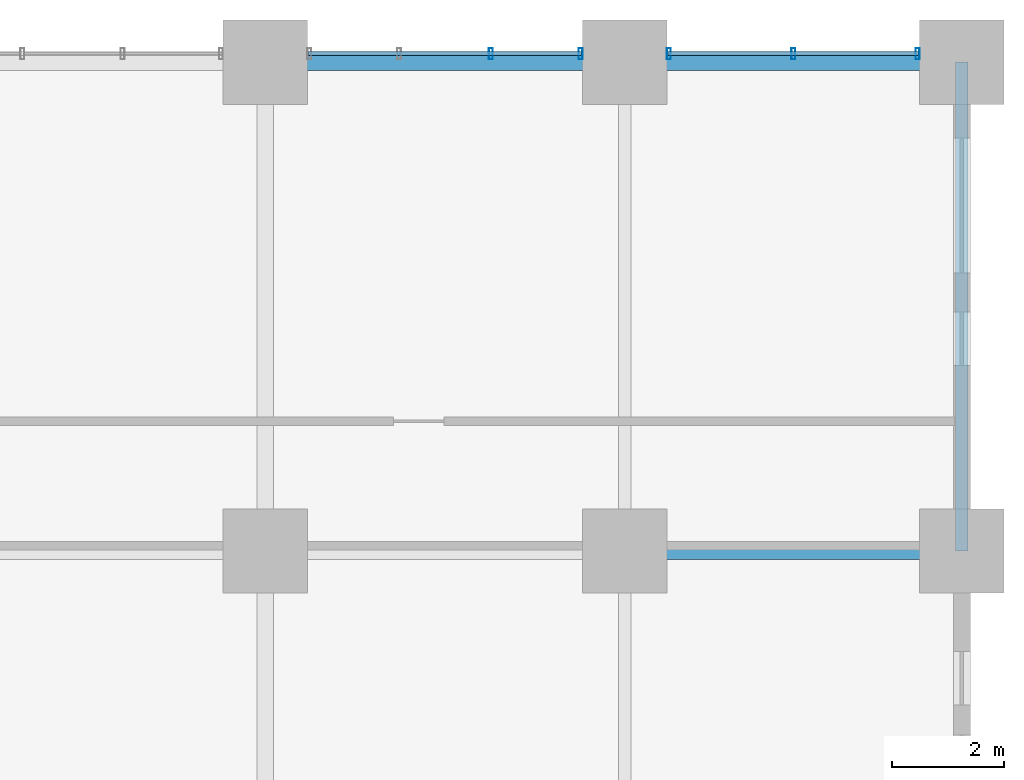
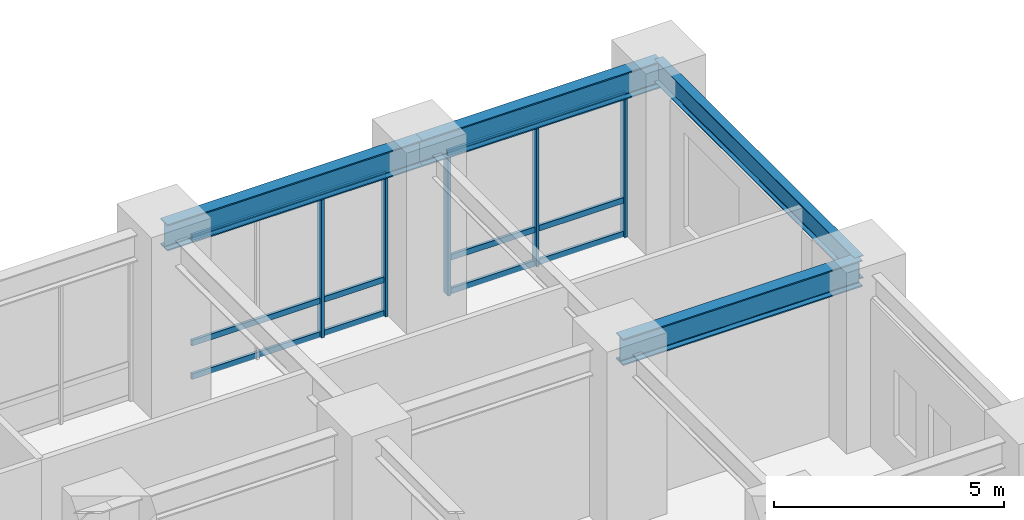
# One storey, part 12 of 22: 11 members, 4 beams, 2 elements without a shape of their own.
"""IFC4 building model written with IfcOpenShell, lengths in metres."""

from ifc_helpers import new_model, si_unit, direction, frame, origin, origin_2d, place, context, subcontext, project, spatial, hollow_rectangle, i_section, extrude, source, transform, mapped, material, layer, layer_set, material_profile, profile_set, type_object, element, aggregate, save


model = new_model("IFC4")

# Units and contexts
model_context = context("Model", 3, precision=1e-05, world=origin(), true_north=direction((0.0, 1.0)))
body_context = subcontext(model_context, "Body", "Model", "MODEL_VIEW")
ifc_project = project(units=[si_unit("LENGTHUNIT", "METRE"), si_unit("AREAUNIT", "SQUARE_METRE"), si_unit("VOLUMEUNIT", "CUBIC_METRE"), si_unit("PLANEANGLEUNIT", "RADIAN"), si_unit("MASSUNIT", "GRAM", prefix="KILO")], contexts=[model_context])

# Site, building, storey
site_placement = place(None, origin())
site = spatial("IfcSite", under=ifc_project, at=site_placement, CompositionType="ELEMENT")
building_placement = place(site_placement, origin())
building = spatial("IfcBuilding", under=site, at=building_placement, Name="Kaliganga Portal Commons", CompositionType="ELEMENT")
storey_placement = place(building_placement, frame((0.0, 0.0, 5.39990234375)))
storey = spatial("IfcBuildingStorey", under=building, at=storey_placement, Name="L01", CompositionType="ELEMENT", Elevation=5.39990234375)

# Beams
ifc_material_1 = material(Name="Structural steel S355J2", Category="steel")
ifc_material_profile_1 = material_profile(ifc_material_1, i_section(OverallWidth=0.300048828125, OverallDepth=0.699951171875, WebThickness=0.01708984375, FlangeThickness=0.031982421875, FilletRadius=0.027099609375, at=origin_2d()), Name="HE 700 B")
ifc_profile_set_1 = profile_set([ifc_material_profile_1], Name="Structural steel S355J2 wide-flange")
beam_type_1 = type_object("IfcBeamType", Name="BM-GIRD-700", PredefinedType="USERDEFINED", material=ifc_profile_set_1)
shared_shape_1 = source(origin(), body_context, "Body", "SweptSolid", [
    extrude(i_section(OverallWidth=0.300048828125, OverallDepth=0.699951171875, WebThickness=0.01708984375, FlangeThickness=0.031982421875, FilletRadius=0.027099609375, at=origin_2d()), origin(), (0.0, 0.0, 1.0), 6.0),
])
for number, where, z_axis, x_axis, name in (
    (1, (67.199951171875, 36.14990234375, 4.170166015625), (1.0, 0.0, 0.0), (0.0, 1.0, 0.0), "BM PODE L01 Y36 2"),
    (2, (67.199951171875, 44.85009765625, 4.170166015625), (1.0, 0.0, 0.0), (0.0, 1.0, 0.0), "BM PODE L01 Y44 2"),
):
    element("IfcBeam", number, at=place(storey_placement, frame(where, z_axis=z_axis, x_axis=x_axis)), inside=storey, type_object=beam_type_1, Name=name, ObjectType="GIRDER", PredefinedType="USERDEFINED", context=body_context, shape_type="MappedRepresentation", body=[
        mapped(shared_shape_1, transform((0.0, 0.0, 0.0), x_axis=(1.0, 0.0, 0.0), y_axis=(0.0, 1.0, 0.0), z_axis=(0.0, 0.0, 1.0), scale=1.0)),
    ])
shared_shape_2 = source(origin(), body_context, "Body", "SweptSolid", [
    extrude(i_section(OverallWidth=0.300048828125, OverallDepth=0.699951171875, WebThickness=0.01708984375, FlangeThickness=0.031982421875, FilletRadius=0.027099609375, at=origin_2d()), origin(), (0.0, 0.0, 1.0), 6.39990234375),
])
beam_1_placement = place(storey_placement, frame((60.800048828125, 44.85009765625, 4.170166015625), z_axis=(1.0, 0.0, 0.0), x_axis=(0.0, 1.0, 0.0)))
element("IfcBeam", 3, at=beam_1_placement, inside=storey, type_object=beam_type_1, Name="BM PODE L01 Y44 1", ObjectType="GIRDER", PredefinedType="USERDEFINED", context=body_context, shape_type="MappedRepresentation", body=[
    mapped(shared_shape_2, transform((0.0, 0.0, 0.0), x_axis=(1.0, 0.0, 0.0), y_axis=(0.0, 1.0, 0.0), z_axis=(0.0, 0.0, 1.0), scale=1.0)),
])
ifc_material_profile_2 = material_profile(ifc_material_1, i_section(OverallWidth=0.219970703125, OverallDepth=0.60009765625, WebThickness=0.011962890625, FlangeThickness=0.01904296875, FilletRadius=0.02392578125, at=origin_2d()), Name="IPE 600")
ifc_profile_set_2 = profile_set([ifc_material_profile_2], Name="Structural steel S355J2 wide-flange")
beam_type_2 = type_object("IfcBeamType", Name="BM-FLR-600", PredefinedType="BEAM", material=ifc_profile_set_2)
shared_shape_3 = source(origin(), body_context, "Body", "SweptSolid", [
    extrude(i_section(OverallWidth=0.219970703125, OverallDepth=0.60009765625, WebThickness=0.011962890625, FlangeThickness=0.01904296875, FilletRadius=0.02392578125, at=origin_2d()), origin(), (0.0, 0.0, 1.0), 8.7001953125),
])
beam_2_placement = place(storey_placement, frame((73.199951171875, 36.14990234375, 4.22021484375), z_axis=(0.0, 1.0, 0.0), x_axis=(-1.0, 0.0, 0.0)))
element("IfcBeam", 4, at=beam_2_placement, inside=storey, type_object=beam_type_2, Name="BM PODE L01 X73 6", PredefinedType="BEAM", context=body_context, shape_type="MappedRepresentation", body=[
    mapped(shared_shape_3, transform((0.0, 0.0, 0.0), x_axis=(1.0, 0.0, 0.0), y_axis=(0.0, 1.0, 0.0), z_axis=(0.0, 0.0, 1.0), scale=1.0)),
])

# Curtain wall, members
ifc_material_2 = material(Name="Anodized Aluminium and Laminated Low-E Glass", Category="aluminium")
ifc_layer = layer(ifc_material_2, 0.219970703125)
ifc_layer_set = layer_set([ifc_layer], Name="Anodized Aluminium and Laminated Low-E Glass")
curtain_wall_type = type_object("IfcCurtainWallType", Name="CW-SYS-01", PredefinedType="NOTDEFINED", material=ifc_layer_set)
curtain_wall_1_placement = place(storey_placement, origin())
curtain_wall_1 = element("IfcCurtainWall", 5, at=curtain_wall_1_placement, inside=storey, type_object=curtain_wall_type, Name="CW 01 L01 P1E02S1", PredefinedType="NOTDEFINED")
ifc_material_3 = material(Name="Dark Bronze Anodized Aluminium", Category="aluminium")
ifc_material_profile_3 = material_profile(ifc_material_3, hollow_rectangle(XDim=0.070068359375, YDim=0.14990234375, WallThickness=0.00341796875, at=origin_2d()), Name="ALU TRAN 70x150x3.5")
ifc_profile_set_3 = profile_set([ifc_material_profile_3], Name="Dark Bronze Anodized Aluminium")
member_type_1 = type_object("IfcMemberType", Name="CW-TRN-150", PredefinedType="USERDEFINED", material=ifc_profile_set_3)
shared_shape_4 = source(origin(), body_context, "Body", "SweptSolid", [
    extrude(hollow_rectangle(XDim=0.070068359375, YDim=0.14990234375, WallThickness=0.00341796875, at=origin_2d()), origin(), (0.0, 0.0, 1.0), 4.4580078125),
])
member_1_placement = place(storey_placement, frame((72.428955078125, 45.0, 0.06005859375), z_axis=(-1.0, 0.0, 0.0), x_axis=(0.0, -1.0, 0.0)))
member_1 = element("IfcMember", 6, at=member_1_placement, type_object=member_type_1, Name="CW:01:L01:P1E02S1 Transom 1", ObjectType="TRANSOM", PredefinedType="USERDEFINED", context=body_context, shape_type="MappedRepresentation", body=[
    mapped(shared_shape_4, transform((0.0, 0.0, 0.0), x_axis=(1.0, 0.0, 0.0), y_axis=(0.0, 1.0, 0.0), z_axis=(0.0, 0.0, 1.0), scale=1.0)),
])
member_2_placement = place(storey_placement, frame((72.428955078125, 45.0, 0.9501953125), z_axis=(-1.0, 0.0, 0.0), x_axis=(0.0, -1.0, 0.0)))
member_2 = element("IfcMember", 7, at=member_2_placement, type_object=member_type_1, Name="CW:01:L01:P1E02S1 Transom 2", ObjectType="TRANSOM", PredefinedType="USERDEFINED", context=body_context, shape_type="MappedRepresentation", body=[
    mapped(shared_shape_4, transform((0.0, 0.0, 0.0), x_axis=(1.0, 0.0, 0.0), y_axis=(0.0, 1.0, 0.0), z_axis=(0.0, 0.0, 1.0), scale=1.0)),
])
member_3_placement = place(storey_placement, frame((72.428955078125, 45.0, 3.739990234375), z_axis=(-1.0, 0.0, 0.0), x_axis=(0.0, -1.0, 0.0)))
member_3 = element("IfcMember", 8, at=member_3_placement, type_object=member_type_1, Name="CW:01:L01:P1E02S1 Transom 3", ObjectType="TRANSOM", PredefinedType="USERDEFINED", context=body_context, shape_type="MappedRepresentation", body=[
    mapped(shared_shape_4, transform((0.0, 0.0, 0.0), x_axis=(1.0, 0.0, 0.0), y_axis=(0.0, 1.0, 0.0), z_axis=(0.0, 0.0, 1.0), scale=1.0)),
])

curtain_wall_2_placement = place(storey_placement, origin())
curtain_wall_2 = element("IfcCurtainWall", 9, at=curtain_wall_2_placement, inside=storey, type_object=curtain_wall_type, Name="CW 01 L01 P1E02S2", PredefinedType="NOTDEFINED")
shared_shape_5 = source(origin(), body_context, "Body", "SweptSolid", [
    extrude(hollow_rectangle(XDim=0.070068359375, YDim=0.14990234375, WallThickness=0.00341796875, at=origin_2d()), origin(), (0.0, 0.0, 1.0), 4.85791015625),
])
member_4_placement = place(storey_placement, frame((66.428955078125, 45.0, 0.06005859375), z_axis=(-1.0, 0.0, 0.0), x_axis=(0.0, -1.0, 0.0)))
member_4 = element("IfcMember", 10, at=member_4_placement, type_object=member_type_1, Name="CW:01:L01:P1E02S2 Transom 1", ObjectType="TRANSOM", PredefinedType="USERDEFINED", context=body_context, shape_type="MappedRepresentation", body=[
    mapped(shared_shape_5, transform((0.0, 0.0, 0.0), x_axis=(1.0, 0.0, 0.0), y_axis=(0.0, 1.0, 0.0), z_axis=(0.0, 0.0, 1.0), scale=1.0)),
])
member_5_placement = place(storey_placement, frame((66.428955078125, 45.0, 0.9501953125), z_axis=(-1.0, 0.0, 0.0), x_axis=(0.0, -1.0, 0.0)))
member_5 = element("IfcMember", 11, at=member_5_placement, type_object=member_type_1, Name="CW:01:L01:P1E02S2 Transom 2", ObjectType="TRANSOM", PredefinedType="USERDEFINED", context=body_context, shape_type="MappedRepresentation", body=[
    mapped(shared_shape_5, transform((0.0, 0.0, 0.0), x_axis=(1.0, 0.0, 0.0), y_axis=(0.0, 1.0, 0.0), z_axis=(0.0, 0.0, 1.0), scale=1.0)),
])
member_6_placement = place(storey_placement, frame((66.428955078125, 45.0, 3.739990234375), z_axis=(-1.0, 0.0, 0.0), x_axis=(0.0, -1.0, 0.0)))
member_6 = element("IfcMember", 12, at=member_6_placement, type_object=member_type_1, Name="CW:01:L01:P1E02S2 Transom 3", ObjectType="TRANSOM", PredefinedType="USERDEFINED", context=body_context, shape_type="MappedRepresentation", body=[
    mapped(shared_shape_5, transform((0.0, 0.0, 0.0), x_axis=(1.0, 0.0, 0.0), y_axis=(0.0, 1.0, 0.0), z_axis=(0.0, 0.0, 1.0), scale=1.0)),
])

# Member
ifc_material_profile_4 = material_profile(ifc_material_3, hollow_rectangle(XDim=0.070068359375, YDim=0.199951171875, WallThickness=0.00390625, at=origin_2d()), Name="ALU MULL 70x200x4")
ifc_profile_set_4 = profile_set([ifc_material_profile_4], Name="Dark Bronze Anodized Aluminium")
member_type_2 = type_object("IfcMemberType", Name="CW-MUL-220", PredefinedType="MULLION", material=ifc_profile_set_4)
shared_shape_6 = source(origin(), body_context, "Body", "SweptSolid", [
    extrude(hollow_rectangle(XDim=0.070068359375, YDim=0.199951171875, WallThickness=0.00390625, at=origin_2d()), origin(), (0.0, 0.0, 1.0), 3.820068359375),
])
member_7_placement = place(storey_placement, frame((72.4140625, 45.0, 0.0), z_axis=(0.0, 0.0, 1.0), x_axis=(-1.0, 0.0, 0.0)))
member_7 = element("IfcMember", 13, at=member_7_placement, type_object=member_type_2, Name="CW:01:L01:P1E02S1 Mullion 00", PredefinedType="MULLION", context=body_context, shape_type="MappedRepresentation", body=[
    mapped(shared_shape_6, transform((0.0, 0.0, 0.0), x_axis=(1.0, 0.0, 0.0), y_axis=(0.0, 1.0, 0.0), z_axis=(0.0, 0.0, 1.0), scale=1.0)),
])

member_8_placement = place(storey_placement, frame((70.199951171875, 45.0, 0.0), z_axis=(0.0, 0.0, 1.0), x_axis=(-1.0, 0.0, 0.0)))
member_8 = element("IfcMember", 14, at=member_8_placement, type_object=member_type_2, Name="CW:01:L01:P1E02S1 Mullion 01", PredefinedType="MULLION", context=body_context, shape_type="MappedRepresentation", body=[
    mapped(shared_shape_6, transform((0.0, 0.0, 0.0), x_axis=(1.0, 0.0, 0.0), y_axis=(0.0, 1.0, 0.0), z_axis=(0.0, 0.0, 1.0), scale=1.0)),
])

member_9_placement = place(storey_placement, frame((67.986083984375, 45.0, 0.0), z_axis=(0.0, 0.0, 1.0), x_axis=(-1.0, 0.0, 0.0)))
member_9 = element("IfcMember", 15, at=member_9_placement, type_object=member_type_2, Name="CW:01:L01:P1E02S1 Mullion 02", PredefinedType="MULLION", context=body_context, shape_type="MappedRepresentation", body=[
    mapped(shared_shape_6, transform((0.0, 0.0, 0.0), x_axis=(1.0, 0.0, 0.0), y_axis=(0.0, 1.0, 0.0), z_axis=(0.0, 0.0, 1.0), scale=1.0)),
])

aggregate(curtain_wall_1, [member_7, member_8, member_9, member_1, member_2, member_3])

member_10_placement = place(storey_placement, frame((66.4140625, 45.0, 0.0), z_axis=(0.0, 0.0, 1.0), x_axis=(-1.0, 0.0, 0.0)))
member_10 = element("IfcMember", 16, at=member_10_placement, type_object=member_type_2, Name="CW:01:L01:P1E02S2 Mullion 00", PredefinedType="MULLION", context=body_context, shape_type="MappedRepresentation", body=[
    mapped(shared_shape_6, transform((0.0, 0.0, 0.0), x_axis=(1.0, 0.0, 0.0), y_axis=(0.0, 1.0, 0.0), z_axis=(0.0, 0.0, 1.0), scale=1.0)),
])

member_11_placement = place(storey_placement, frame((64.81640625, 45.0, 0.0), z_axis=(0.0, 0.0, 1.0), x_axis=(-1.0, 0.0, 0.0)))
member_11 = element("IfcMember", 17, at=member_11_placement, type_object=member_type_2, Name="CW:01:L01:P1E02S2 Mullion 01", PredefinedType="MULLION", context=body_context, shape_type="MappedRepresentation", body=[
    mapped(shared_shape_6, transform((0.0, 0.0, 0.0), x_axis=(1.0, 0.0, 0.0), y_axis=(0.0, 1.0, 0.0), z_axis=(0.0, 0.0, 1.0), scale=1.0)),
])

aggregate(curtain_wall_2, [member_10, member_11, member_4, member_5, member_6])

save(model, "model.ifc")
